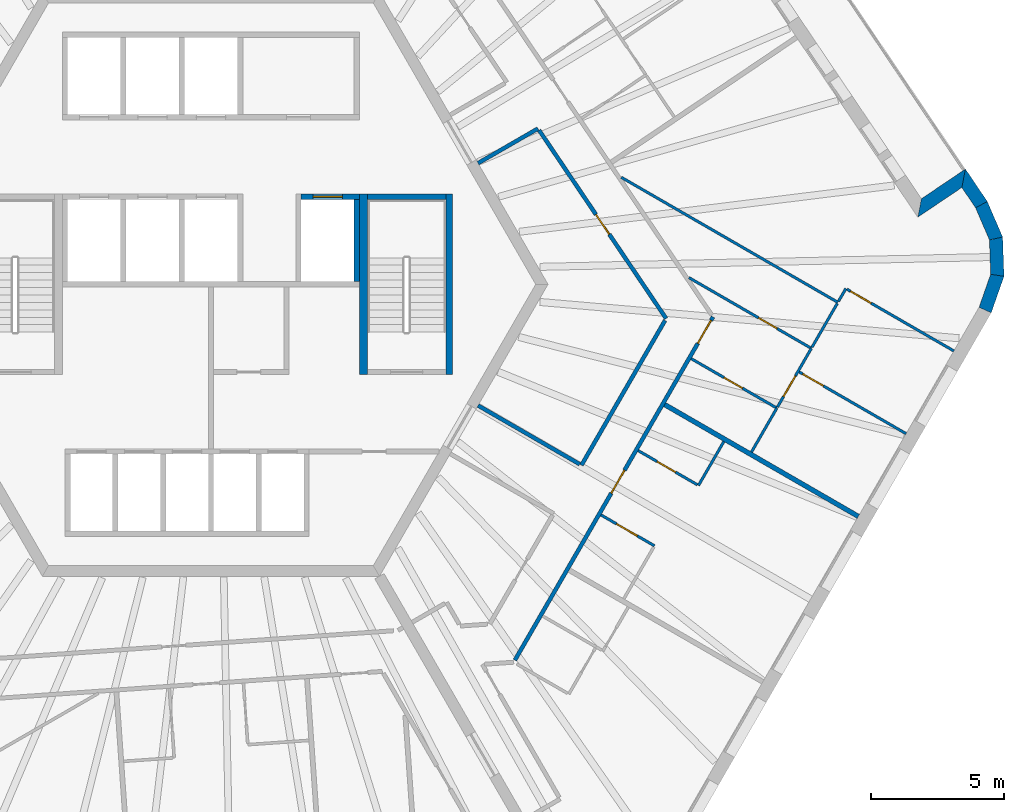
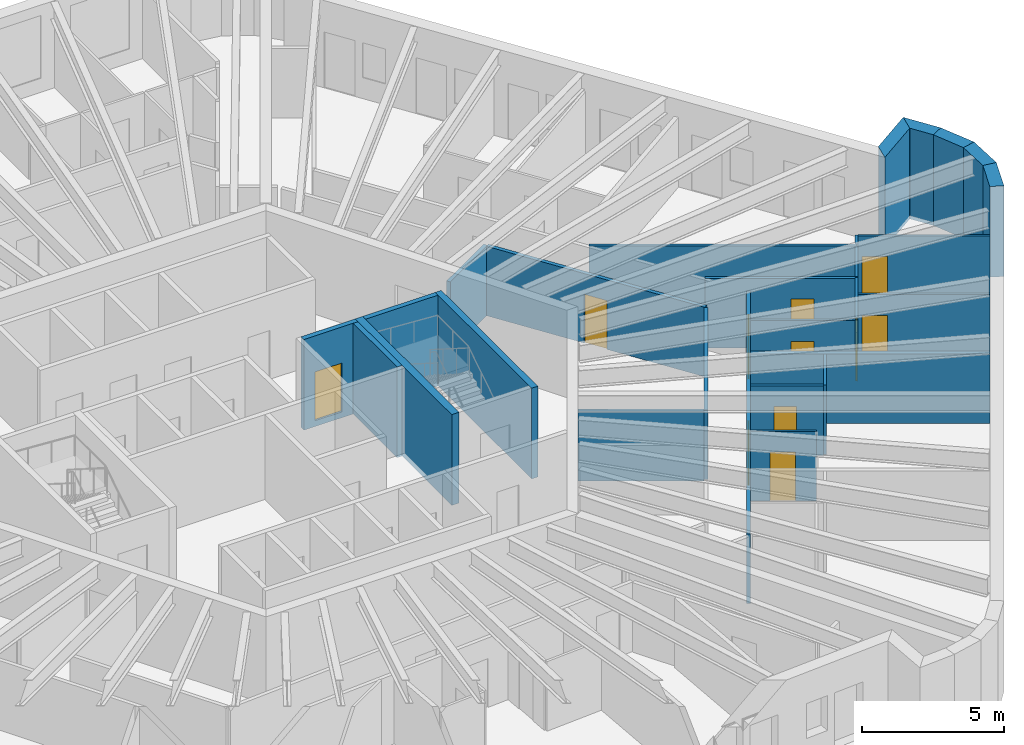
# One storey, part 7 of 12: 28 walls, 11 doors, 11 openings.
"""IFC4 building model written with IfcOpenShell, lengths in metres."""

from ifc_helpers import new_model, si_unit, direction, frame, frame_2d, origin, place, context, subcontext, project, spatial, polyline, rectangle, outline, extrude, material, layer, layer_set, type_object, element, fill, save


model = new_model("IFC4")

# Units and contexts
model_context = context("Model", 3, precision=1e-05, world=origin(), true_north=direction((0.0, 1.0)))
body_context = subcontext(model_context, "Body", "Model", "MODEL_VIEW")
ifc_project = project(units=[si_unit("LENGTHUNIT", "METRE"), si_unit("AREAUNIT", "SQUARE_METRE"), si_unit("VOLUMEUNIT", "CUBIC_METRE"), si_unit("PLANEANGLEUNIT", "RADIAN"), si_unit("MASSUNIT", "GRAM", prefix="KILO")], contexts=[model_context])

# Site, building, storey
site_placement = place(None, origin())
site = spatial("IfcSite", under=ifc_project, at=site_placement, CompositionType="ELEMENT")
building_placement = place(site_placement, origin())
building = spatial("IfcBuilding", under=site, at=building_placement, Name="Tarnside Tower", CompositionType="ELEMENT")
storey_placement = place(building_placement, frame((0.0, 0.0, 271.800048828125)))
storey = spatial("IfcBuildingStorey", under=building, at=storey_placement, Name="L65", CompositionType="ELEMENT", Elevation=271.800048828125)

# Wall
ifc_material_1 = material(Name="Gypsum board partition on steel studs", Category="steel")
ifc_layer_1 = layer(ifc_material_1, 0.10009765625)
ifc_layer_set_1 = layer_set([ifc_layer_1], Name="Bathroom wall 100")
wall_type_1 = type_object("IfcWallType", Name="Bathroom wall 100", PredefinedType="PARTITIONING", material=ifc_layer_set_1)
wall_1_placement = place(storey_placement, frame((19.328125, -5.9228515625, 0.0), z_axis=(0.0, 0.0, 1.0), x_axis=(-0.500043324278, -0.866000389056, 0.0)))
element("IfcWall", 1, at=wall_1_placement, inside=storey, type_object=wall_type_1, Name="Bathroom wall 21152", PredefinedType="PARTITIONING", context=body_context, shape_type="SweptSolid", body=[
    extrude(rectangle(XDim=1.909912109375, YDim=0.10009765625, at=frame_2d((0.955078125, 0.0))), origin(), (0.0, 0.0, 1.0), 2.98779296875),
])

# Wall, opening, door
wall_2_placement = place(storey_placement, frame((18.329833984375, -7.5517578125, 0.0), z_axis=(0.0, 0.0, 1.0), x_axis=(-0.866046643894, 0.499963209246, 0.0)))
wall_2 = element("IfcWall", 2, at=wall_2_placement, inside=storey, type_object=wall_type_1, Name="Bathroom wall 21153", PredefinedType="PARTITIONING", context=body_context, shape_type="SweptSolid", body=[
    extrude(rectangle(XDim=2.574951171875, YDim=0.10009765625, at=frame_2d((1.28759765625, 0.0))), origin(), (0.0, 0.0, 1.0), 2.98779296875),
])
opening_1_placement = place(wall_2_placement, frame((0.949951171875, 0.0, 0.0)))
opening_1 = element("IfcOpeningElement", 3, at=opening_1_placement, cuts=wall_2, Name="Opening D-B1", PredefinedType="OPENING", context=body_context, shape_type="SweptSolid", body=[
    extrude(rectangle(XDim=0.800048828125, YDim=2.10009765625, at=frame_2d((0.39990234375, 1.050048828125))), frame((0.0, 0.06005859375, 0.0), z_axis=(0.0, -1.0, 0.0), x_axis=(1.0, 0.0, 0.0)), (0.0, 0.0, 1.0), 0.1201171875),
])
ifc_material_2 = material(Name="Timber door leaf", Category="wood")
door_type_1 = type_object("IfcDoorType", Name="Bathroom door 800", OperationType="NOTDEFINED", PredefinedType="DOOR", material=ifc_material_2)
door_1_placement = place(opening_1_placement, origin())
door_1 = element("IfcDoor", 4, at=door_1_placement, inside=storey, type_object=door_type_1, Name="Bathroom door 21051", OperationType="SINGLE_SWING_LEFT", OverallHeight=2.10009765625, OverallWidth=0.800048828125, PredefinedType="DOOR", context=body_context, shape_type="SweptSolid", body=[
    extrude(rectangle(XDim=0.800048828125, YDim=2.10009765625, at=frame_2d((0.39990234375, 1.050048828125))), frame((0.0, 0.02490234375, 0.0), z_axis=(0.0, -1.0, 0.0), x_axis=(1.0, 0.0, 0.0)), (0.0, 0.0, 1.0), 0.050048828125),
])
fill(opening_1, door_1)

# Wall
wall_3_placement = place(storey_placement, frame((15.462890625, 4.03369140625, 0.0), z_axis=(0.0, 0.0, 1.0), x_axis=(0.866033324905, -0.499986279965, 0.0)))
element("IfcWall", 5, at=wall_3_placement, inside=storey, type_object=wall_type_1, Name="Bathroom wall 21161", PredefinedType="PARTITIONING", context=body_context, shape_type="SweptSolid", body=[
    extrude(rectangle(XDim=9.425537109375, YDim=0.10009765625, at=frame_2d((4.712890625, 0.0))), origin(), (0.0, 0.0, 1.0), 2.98779296875),
])

# Wall, opening, door
wall_4_placement = place(storey_placement, frame((18.099853515625, -2.80029296875, 0.0), z_axis=(0.0, 0.0, 1.0), x_axis=(0.866012039196, -0.500023147432, 0.0)))
wall_4 = element("IfcWall", 6, at=wall_4_placement, inside=storey, type_object=wall_type_1, Name="Bathroom wall 21164", PredefinedType="PARTITIONING", context=body_context, shape_type="SweptSolid", body=[
    extrude(rectangle(XDim=3.724853515625, YDim=0.10009765625, at=frame_2d((1.8623046875, 0.0))), origin(), (0.0, 0.0, 1.0), 2.98779296875),
])
opening_2_placement = place(wall_4_placement, frame((1.425048828125, 0.0, 0.0)))
opening_2 = element("IfcOpeningElement", 7, at=opening_2_placement, cuts=wall_4, Name="Opening D-B1", PredefinedType="OPENING", context=body_context, shape_type="SweptSolid", body=[
    extrude(rectangle(XDim=0.800048828125, YDim=2.10009765625, at=frame_2d((0.39990234375, 1.050048828125))), frame((0.0, 0.06005859375, 0.0), z_axis=(0.0, -1.0, 0.0), x_axis=(1.0, 0.0, 0.0)), (0.0, 0.0, 1.0), 0.1201171875),
])
door_2_placement = place(opening_2_placement, origin())
door_2 = element("IfcDoor", 8, at=door_2_placement, inside=storey, type_object=door_type_1, Name="Bathroom door 21054", OperationType="SINGLE_SWING_RIGHT", OverallHeight=2.10009765625, OverallWidth=0.800048828125, PredefinedType="DOOR", context=body_context, shape_type="SweptSolid", body=[
    extrude(rectangle(XDim=0.800048828125, YDim=2.10009765625, at=frame_2d((0.39990234375, 1.050048828125))), frame((0.0, 0.02490234375, 0.0), z_axis=(0.0, -1.0, 0.0), x_axis=(1.0, 0.0, 0.0)), (0.0, 0.0, 1.0), 0.050048828125),
])
fill(opening_2, door_2)

wall_5_placement = place(storey_placement, frame((22.625732421875, -2.4111328125, 0.0), z_axis=(0.0, 0.0, 1.0), x_axis=(-0.866016851835, 0.500014812119, 0.0)))
wall_5 = element("IfcWall", 9, at=wall_5_placement, inside=storey, type_object=wall_type_1, Name="Bathroom wall 21167", PredefinedType="PARTITIONING", context=body_context, shape_type="SweptSolid", body=[
    extrude(rectangle(XDim=5.324951171875, YDim=0.10009765625, at=frame_2d((2.66259765625, 0.0))), origin(), (0.0, 0.0, 1.0), 2.98779296875),
])
opening_3_placement = place(wall_5_placement, frame((1.5, 0.0, 0.0)))
opening_3 = element("IfcOpeningElement", 10, at=opening_3_placement, cuts=wall_5, Name="Opening D-B1", PredefinedType="OPENING", context=body_context, shape_type="SweptSolid", body=[
    extrude(rectangle(XDim=0.800048828125, YDim=2.10009765625, at=frame_2d((0.39990234375, 1.050048828125))), frame((0.0, 0.06005859375, 0.0), z_axis=(0.0, -1.0, 0.0), x_axis=(1.0, 0.0, 0.0)), (0.0, 0.0, 1.0), 0.1201171875),
])
door_3_placement = place(opening_3_placement, origin())
door_3 = element("IfcDoor", 11, at=door_3_placement, inside=storey, type_object=door_type_1, Name="Bathroom door 21062", OperationType="SINGLE_SWING_RIGHT", OverallHeight=2.10009765625, OverallWidth=0.800048828125, PredefinedType="DOOR", context=body_context, shape_type="SweptSolid", body=[
    extrude(rectangle(XDim=0.800048828125, YDim=2.10009765625, at=frame_2d((0.39990234375, 1.050048828125))), frame((0.0, 0.02490234375, 0.0), z_axis=(0.0, -1.0, 0.0), x_axis=(1.0, 0.0, 0.0)), (0.0, 0.0, 1.0), 0.050048828125),
])
fill(opening_3, door_3)

# Walls
wall_6_placement = place(storey_placement, frame((20.370849609375, -6.31689453125, 0.0), z_axis=(0.0, 0.0, 1.0), x_axis=(0.49994353734, 0.866058000062, 0.0)))
element("IfcWall", 12, at=wall_6_placement, inside=storey, type_object=wall_type_1, Name="Bathroom wall 21168", PredefinedType="PARTITIONING", context=body_context, shape_type="SweptSolid", body=[
    extrude(rectangle(XDim=1.911865234375, YDim=0.10009765625, at=frame_2d((0.9560546875, 0.0))), origin(), (0.0, 0.0, 1.0), 2.98779296875),
])
wall_7_placement = place(storey_placement, frame((23.600830078125, -0.722412109375, 0.0), z_axis=(0.0, 0.0, 1.0), x_axis=(-0.500119165741, -0.865956592479, 0.0)))
element("IfcWall", 13, at=wall_7_placement, inside=storey, type_object=wall_type_1, Name="Bathroom wall 21170", PredefinedType="PARTITIONING", context=body_context, shape_type="SweptSolid", body=[
    extrude(rectangle(XDim=1.89990234375, YDim=0.10009765625, at=frame_2d((0.949951171875, 0.0))), origin(), (0.0, 0.0, 1.0), 2.98779296875),
])

# Wall, openings, doors
ifc_layer_2 = layer(ifc_material_1, 0.14990234375)
ifc_layer_set_2 = layer_set([ifc_layer_2], Name="Corridor wall 150 EI 60")
wall_type_2 = type_object("IfcWallType", Name="Corridor wall 150 EI 60", PredefinedType="PARTITIONING", material=ifc_layer_set_2)
wall_8_placement = place(storey_placement, frame((11.454345703125, -14.160400390625, 0.0), z_axis=(0.0, 0.0, 1.0), x_axis=(0.500000296604, 0.86602523254, 0.0)))
wall_8 = element("IfcWall", 14, at=wall_8_placement, inside=storey, type_object=wall_type_2, Name="Corridor wall 21059", PredefinedType="PARTITIONING", context=body_context, shape_type="SweptSolid", body=[
    extrude(rectangle(XDim=14.93359375, YDim=0.14990234375, at=frame_2d((7.466796875, 0.0))), origin(), (0.0, 0.0, 1.0), 2.98779296875),
])
opening_4_placement = place(wall_8_placement, frame((7.260986328125, 0.0, 0.0)))
opening_4 = element("IfcOpeningElement", 15, at=opening_4_placement, cuts=wall_8, Name="Opening D-E1", PredefinedType="OPENING", context=body_context, shape_type="SweptSolid", body=[
    extrude(rectangle(XDim=1.0, YDim=2.10009765625, at=frame_2d((0.5, 1.050048828125))), frame((0.0, 0.0849609375, 0.0), z_axis=(0.0, -1.0, 0.0), x_axis=(1.0, 0.0, 0.0)), (0.0, 0.0, 1.0), 0.169921875),
])
opening_5_placement = place(wall_8_placement, frame((13.78369140625, 0.0, 0.0)))
opening_5 = element("IfcOpeningElement", 16, at=opening_5_placement, cuts=wall_8, Name="Opening D-E1", PredefinedType="OPENING", context=body_context, shape_type="SweptSolid", body=[
    extrude(rectangle(XDim=1.0, YDim=2.10009765625, at=frame_2d((0.5, 1.050048828125))), frame((0.0, 0.0849609375, 0.0), z_axis=(0.0, -1.0, 0.0), x_axis=(1.0, 0.0, 0.0)), (0.0, 0.0, 1.0), 0.169921875),
])
door_type_2 = type_object("IfcDoorType", Name="Unit entrance door 1000 FD30S", OperationType="NOTDEFINED", PredefinedType="DOOR", material=ifc_material_2)
door_4_placement = place(opening_4_placement, origin())
door_4 = element("IfcDoor", 17, at=door_4_placement, inside=storey, type_object=door_type_2, Name="Unit door 21050", OperationType="SINGLE_SWING_RIGHT", OverallHeight=2.10009765625, OverallWidth=1.0, PredefinedType="DOOR", context=body_context, shape_type="SweptSolid", body=[
    extrude(rectangle(XDim=1.0, YDim=2.10009765625, at=frame_2d((0.5, 1.050048828125))), frame((0.0, 0.02490234375, 0.0), z_axis=(0.0, -1.0, 0.0), x_axis=(1.0, 0.0, 0.0)), (0.0, 0.0, 1.0), 0.050048828125),
])
fill(opening_4, door_4)
door_5_placement = place(opening_5_placement, origin())
door_5 = element("IfcDoor", 18, at=door_5_placement, inside=storey, type_object=door_type_2, Name="Unit door 21053", OperationType="SINGLE_SWING_LEFT", OverallHeight=2.10009765625, OverallWidth=1.0, PredefinedType="DOOR", context=body_context, shape_type="SweptSolid", body=[
    extrude(rectangle(XDim=1.0, YDim=2.10009765625, at=frame_2d((0.5, 1.050048828125))), frame((0.0, 0.02490234375, 0.0), z_axis=(0.0, -1.0, 0.0), x_axis=(1.0, 0.0, 0.0)), (0.0, 0.0, 1.0), 0.050048828125),
])
fill(opening_5, door_5)

# Wall
wall_9_placement = place(storey_placement, frame((10.065673828125, 4.565673828125, 0.0), z_axis=(0.0, 0.0, 1.0), x_axis=(0.866034402474, 0.499984413489, 0.0)))
element("IfcWall", 19, at=wall_9_placement, inside=storey, type_object=wall_type_2, Name="Corridor wall 21074", PredefinedType="PARTITIONING", context=body_context, shape_type="SweptSolid", body=[
    extrude(rectangle(XDim=2.6083984375, YDim=0.14990234375, at=frame_2d((1.30419921875, 0.0))), origin(), (0.0, 0.0, 1.0), 2.98779296875),
])

# Wall, opening, door
wall_10_placement = place(storey_placement, frame((12.36669921875, 5.8076171875, 0.0), z_axis=(0.0, 0.0, 1.0), x_axis=(0.559187256666, -0.829041381345, 0.0)))
wall_10 = element("IfcWall", 20, at=wall_10_placement, inside=storey, type_object=wall_type_2, Name="Corridor wall 21075", PredefinedType="PARTITIONING", context=body_context, shape_type="SweptSolid", body=[
    extrude(rectangle(XDim=8.560302734375, YDim=0.14990234375, at=frame_2d((4.2802734375, 0.0))), origin(), (0.0, 0.0, 1.0), 2.98779296875),
])
opening_6_placement = place(wall_10_placement, frame((3.830078125, 0.0, 0.0)))
opening_6 = element("IfcOpeningElement", 21, at=opening_6_placement, cuts=wall_10, Name="Opening D-S1", PredefinedType="OPENING", context=body_context, shape_type="SweptSolid", body=[
    extrude(rectangle(XDim=0.89990234375, YDim=2.10009765625, at=frame_2d((0.449951171875, 1.050048828125))), frame((0.0, 0.0849609375, 0.0), z_axis=(0.0, -1.0, 0.0), x_axis=(1.0, 0.0, 0.0)), (0.0, 0.0, 1.0), 0.169921875),
])
door_type_3 = type_object("IfcDoorType", Name="Service room door 900 FD30S", OperationType="NOTDEFINED", PredefinedType="DOOR", material=ifc_material_2)
door_6_placement = place(opening_6_placement, origin())
door_6 = element("IfcDoor", 22, at=door_6_placement, inside=storey, type_object=door_type_3, Name="Service door 21073", OperationType="SINGLE_SWING_RIGHT", OverallHeight=2.10009765625, OverallWidth=0.89990234375, PredefinedType="DOOR", context=body_context, shape_type="SweptSolid", body=[
    extrude(rectangle(XDim=0.89990234375, YDim=2.10009765625, at=frame_2d((0.449951171875, 1.050048828125))), frame((0.0, 0.02490234375, 0.0), z_axis=(0.0, -1.0, 0.0), x_axis=(1.0, 0.0, 0.0)), (0.0, 0.0, 1.0), 0.050048828125),
])
fill(opening_6, door_6)

# Walls
wall_11_placement = place(storey_placement, frame((17.11181640625, -1.361572265625, 0.0), z_axis=(0.0, 0.0, 1.0), x_axis=(-0.49999985423, -0.866025487945, 0.0)))
element("IfcWall", 23, at=wall_11_placement, inside=storey, type_object=wall_type_2, Name="Corridor wall 21076", PredefinedType="PARTITIONING", context=body_context, shape_type="SweptSolid", body=[
    extrude(rectangle(XDim=6.2978515625, YDim=0.14990234375, at=frame_2d((3.14892578125, 0.0))), origin(), (0.0, 0.0, 1.0), 2.98779296875),
])
wall_12_placement = place(storey_placement, frame((13.89794921875, -6.778076171875, 0.0), z_axis=(0.0, 0.0, 1.0), x_axis=(-0.866041342403, 0.499972392486, 0.0)))
element("IfcWall", 24, at=wall_12_placement, inside=storey, type_object=wall_type_2, Name="Corridor wall 21077", PredefinedType="PARTITIONING", context=body_context, shape_type="SweptSolid", body=[
    extrude(rectangle(XDim=4.425048828125, YDim=0.14990234375, at=frame_2d((2.21240234375, 0.0))), origin(), (0.0, 0.0, 1.0), 2.98779296875),
])
ifc_layer_3 = layer(ifc_material_1, 0.179931640625)
ifc_layer_set_3 = layer_set([ifc_layer_3], Name="Demising wall 180 EI 60")
wall_type_3 = type_object("IfcWallType", Name="Demising wall 180 EI 60", PredefinedType="PARTITIONING", material=ifc_layer_set_3)
wall_13_placement = place(storey_placement, frame((24.39599609375, -8.744873046875, 0.0), z_axis=(0.0, 0.0, 1.0), x_axis=(-0.866014270972, 0.500019282102, 0.0)))
element("IfcWall", 25, at=wall_13_placement, inside=storey, type_object=wall_type_3, Name="Demising wall 21156", PredefinedType="PARTITIONING", context=body_context, shape_type="SweptSolid", body=[
    extrude(rectangle(XDim=8.425048828125, YDim=0.179931640625, at=frame_2d((4.21240234375, 0.0))), origin(), (0.0, 0.0, 1.0), 2.98779296875),
])

# Wall, opening, door
ifc_material_3 = material(Name="Concrete C40/50", Category="concrete")
ifc_layer_4 = layer(ifc_material_3, 0.199951171875)
ifc_layer_set_4 = layer_set([ifc_layer_4], Name="Lift shaft wall 200 C40/50")
wall_type_4 = type_object("IfcWallType", Name="Lift shaft wall 200 C40/50", PredefinedType="SHEAR", material=ifc_layer_set_4)
wall_14_placement = place(storey_placement, frame((3.39990234375, 3.300048828125, -0.25), z_axis=(0.0, 0.0, 1.0), x_axis=(1.0, 0.0, 0.0)))
wall_14 = element("IfcWall", 26, at=wall_14_placement, inside=storey, type_object=wall_type_4, Name="L65 lift shaft front wall R2 2", PredefinedType="SHEAR", context=body_context, shape_type="SweptSolid", body=[
    extrude(rectangle(XDim=2.2001953125, YDim=0.199951171875, at=frame_2d((1.10009765625, 0.0))), origin(), (0.0, 0.0, 1.0), 3.89990234375),
])
opening_7_placement = place(wall_14_placement, frame((0.449951171875, 0.0, 0.25)))
opening_7 = element("IfcOpeningElement", 27, at=opening_7_placement, cuts=wall_14, Name="Opening LD", PredefinedType="OPENING", context=body_context, shape_type="SweptSolid", body=[
    extrude(rectangle(XDim=1.10009765625, YDim=2.10009765625, at=frame_2d((0.550048828125, 1.050048828125))), frame((0.0, 0.10986328125, 0.0), z_axis=(0.0, -1.0, 0.0), x_axis=(1.0, 0.0, 0.0)), (0.0, 0.0, 1.0), 0.219970703125),
])
ifc_material_4 = material(Name="Stainless steel", Category="steel")
door_type_4 = type_object("IfcDoorType", Name="Lift landing door 1100x2100", OperationType="NOTDEFINED", PredefinedType="DOOR", material=ifc_material_4)
door_7_placement = place(opening_7_placement, origin())
door_7 = element("IfcDoor", 28, at=door_7_placement, inside=storey, type_object=door_type_4, Name="Express sky-lobby shuttle 2 landing door L65", OperationType="SLIDING_TO_LEFT", OverallHeight=2.10009765625, OverallWidth=1.10009765625, PredefinedType="DOOR", context=body_context, shape_type="SweptSolid", body=[
    extrude(rectangle(XDim=1.10009765625, YDim=2.10009765625, at=frame_2d((0.550048828125, 1.050048828125))), frame((0.0, 0.02490234375, 0.0), z_axis=(0.0, -1.0, 0.0), x_axis=(1.0, 0.0, 0.0)), (0.0, 0.0, 1.0), 0.050048828125),
])
fill(opening_7, door_7)

# Walls
wall_15_placement = place(storey_placement, frame((5.5, 0.10009765625, -0.25), z_axis=(0.0, 0.0, 1.0), x_axis=(0.0, 1.0, 0.0)))
element("IfcWall", 29, at=wall_15_placement, inside=storey, type_object=wall_type_4, Name="L65 lift shaft partition R26", PredefinedType="SHEAR", context=body_context, shape_type="SweptSolid", body=[
    extrude(rectangle(XDim=3.099853515625, YDim=0.199951171875, at=frame_2d((1.5498046875, 0.0))), origin(), (0.0, 0.0, 1.0), 3.89990234375),
])
wall_16_placement = place(storey_placement, frame((5.89990234375, 3.300048828125, -0.25), z_axis=(0.0, 0.0, 1.0), x_axis=(1.0, 0.0, 0.0)))
element("IfcWall", 30, at=wall_16_placement, inside=storey, type_object=wall_type_4, Name="L65 stair 1 enclosure cap wall n", PredefinedType="SHEAR", context=body_context, shape_type="SweptSolid", body=[
    extrude(rectangle(XDim=2.9501953125, YDim=0.199951171875, at=frame_2d((1.47509765625, 0.0))), origin(), (0.0, 0.0, 1.0), 3.89990234375),
])
ifc_material_5 = material(Name="Dark zinc cladding")
ifc_layer_5 = layer(ifc_material_5, 0.10205078125)
ifc_material_6 = material(Name="Concrete C60/75 precast", Category="concrete")
ifc_layer_6 = layer(ifc_material_6, 0.298095703125)
ifc_material_7 = material(Name="Mineral wool insulation")
ifc_layer_7 = layer(ifc_material_7, 0.10009765625)
ifc_layer_set_5 = layer_set([ifc_layer_5, ifc_layer_6, ifc_layer_7], Name="Loggia wall 500 zinc faced")
wall_type_5 = type_object("IfcWallType", Name="Loggia wall 500 zinc faced", PredefinedType="SOLIDWALL", material=ifc_layer_set_5)
wall_17_placement = place(storey_placement, frame((29.034912109375, 3.00244140625, -0.150146484375), z_axis=(0.0, 0.0, 1.0), x_axis=(-0.559200218553, 0.829032638423, 0.0)))
element("IfcWall", 31, at=wall_17_placement, inside=storey, type_object=wall_type_5, Name="Tube wall L65 F6 stub 28", PredefinedType="SOLIDWALL", context=body_context, shape_type="SweptSolid", body=[
    extrude(outline(polyline([(-0.0234375, -0.25), (1.44970703125, -0.25), (0.94970703125, 0.25), (0.0234375, 0.25), (-0.0234375, -0.25)])), origin(), (0.0, 0.0, 1.0), 3.900146484375),
])
wall_18_placement = place(storey_placement, frame((28.364013671875, 3.9970703125, -0.150146484375), z_axis=(0.0, 0.0, 1.0), x_axis=(-0.829108975345, -0.5590870299, 0.0)))
element("IfcWall", 32, at=wall_18_placement, inside=storey, type_object=wall_type_5, Name="Tube wall L65 F6 return 29", PredefinedType="SOLIDWALL", context=body_context, shape_type="SweptSolid", body=[
    extrude(outline(polyline([(-0.25, -0.25), (1.75, -0.25), (2.25, 0.25), (0.25, 0.25), (-0.25, -0.25)])), origin(), (0.0, 0.0, 1.0), 3.900146484375),
])

# Wall, opening, door
ifc_layer_8 = layer(ifc_material_1, 0.10009765625)
ifc_layer_set_6 = layer_set([ifc_layer_8], Name="Partition 100")
wall_type_6 = type_object("IfcWallType", Name="Partition 100", PredefinedType="PARTITIONING", material=ifc_layer_set_6)
wall_19_placement = place(storey_placement, frame((14.69970703125, -8.689208984375, 0.0), z_axis=(0.0, 0.0, 1.0), x_axis=(0.866024722723, -0.500001179632, 0.0)))
wall_19 = element("IfcWall", 33, at=wall_19_placement, inside=storey, type_object=wall_type_6, Name="Partition wall 21154", PredefinedType="PARTITIONING", context=body_context, shape_type="SweptSolid", body=[
    extrude(rectangle(XDim=2.3251953125, YDim=0.10009765625, at=frame_2d((1.16259765625, 0.0))), origin(), (0.0, 0.0, 1.0), 2.98779296875),
])
opening_8_placement = place(wall_19_placement, frame((0.675048828125, 0.0, 0.0)))
opening_8 = element("IfcOpeningElement", 34, at=opening_8_placement, cuts=wall_19, Name="Opening D-I1", PredefinedType="OPENING", context=body_context, shape_type="SweptSolid", body=[
    extrude(rectangle(XDim=0.89990234375, YDim=2.10009765625, at=frame_2d((0.449951171875, 1.050048828125))), frame((0.0, 0.06005859375, 0.0), z_axis=(0.0, -1.0, 0.0), x_axis=(1.0, 0.0, 0.0)), (0.0, 0.0, 1.0), 0.1201171875),
])
door_type_5 = type_object("IfcDoorType", Name="Internal door 900", OperationType="NOTDEFINED", PredefinedType="DOOR", material=ifc_material_2)
door_8_placement = place(opening_8_placement, origin())
door_8 = element("IfcDoor", 35, at=door_8_placement, inside=storey, type_object=door_type_5, Name="Internal door 21052", OperationType="SINGLE_SWING_RIGHT", OverallHeight=2.10009765625, OverallWidth=0.89990234375, PredefinedType="DOOR", context=body_context, shape_type="SweptSolid", body=[
    extrude(rectangle(XDim=0.89990234375, YDim=2.10009765625, at=frame_2d((0.449951171875, 1.050048828125))), frame((0.0, 0.02490234375, 0.0), z_axis=(0.0, -1.0, 0.0), x_axis=(1.0, 0.0, 0.0)), (0.0, 0.0, 1.0), 0.050048828125),
])
fill(opening_8, door_8)

# Wall
wall_20_placement = place(storey_placement, frame((23.649658203125, -0.637451171875, 0.0), z_axis=(0.0, 0.0, 1.0), x_axis=(0.500181810019, 0.865920410272, 0.0)))
element("IfcWall", 36, at=wall_20_placement, inside=storey, type_object=wall_type_6, Name="Partition wall 21159", PredefinedType="PARTITIONING", context=body_context, shape_type="SweptSolid", body=[
    extrude(rectangle(XDim=0.552001953125, YDim=0.10009765625, at=frame_2d((0.27587890625, 0.0))), origin(), (0.0, 0.0, 1.0), 2.98779296875),
])

# Wall, opening, door
wall_21_placement = place(storey_placement, frame((23.968994140625, -0.184326171875, 0.0), z_axis=(0.0, 0.0, 1.0), x_axis=(0.866011596997, -0.500023913295, 0.0)))
wall_21 = element("IfcWall", 37, at=wall_21_placement, inside=storey, type_object=wall_type_6, Name="Partition wall 21160", PredefinedType="PARTITIONING", context=body_context, shape_type="SweptSolid", body=[
    extrude(rectangle(XDim=4.650146484375, YDim=0.10009765625, at=frame_2d((2.3251953125, 0.0))), origin(), (0.0, 0.0, 1.0), 2.98779296875),
])
opening_9_placement = place(wall_21_placement, frame((0.14990234375, 0.0, 0.0)))
opening_9 = element("IfcOpeningElement", 38, at=opening_9_placement, cuts=wall_21, Name="Opening D-I1", PredefinedType="OPENING", context=body_context, shape_type="SweptSolid", body=[
    extrude(rectangle(XDim=0.89990234375, YDim=2.10009765625, at=frame_2d((0.449951171875, 1.050048828125))), frame((0.0, 0.06005859375, 0.0), z_axis=(0.0, -1.0, 0.0), x_axis=(1.0, 0.0, 0.0)), (0.0, 0.0, 1.0), 0.1201171875),
])
door_9_placement = place(opening_9_placement, origin())
door_9 = element("IfcDoor", 39, at=door_9_placement, inside=storey, type_object=door_type_5, Name="Internal door 21061", OperationType="SINGLE_SWING_RIGHT", OverallHeight=2.10009765625, OverallWidth=0.89990234375, PredefinedType="DOOR", context=body_context, shape_type="SweptSolid", body=[
    extrude(rectangle(XDim=0.89990234375, YDim=2.10009765625, at=frame_2d((0.449951171875, 1.050048828125))), frame((0.0, 0.02490234375, 0.0), z_axis=(0.0, -1.0, 0.0), x_axis=(1.0, 0.0, 0.0)), (0.0, 0.0, 1.0), 0.050048828125),
])
fill(opening_9, door_9)

wall_22_placement = place(storey_placement, frame((21.349609375, -4.62109375, 0.0), z_axis=(0.0, 0.0, 1.0), x_axis=(0.500056202316, 0.865992952931, 0.0)))
wall_22 = element("IfcWall", 40, at=wall_22_placement, inside=storey, type_object=wall_type_6, Name="Partition wall 21165", PredefinedType="PARTITIONING", context=body_context, shape_type="SweptSolid", body=[
    extrude(rectangle(XDim=2.553955078125, YDim=0.10009765625, at=frame_2d((1.27685546875, 0.0))), origin(), (0.0, 0.0, 1.0), 2.98779296875),
])
opening_10_placement = place(wall_22_placement, frame((0.451904296875, 0.0, 0.0)))
opening_10 = element("IfcOpeningElement", 41, at=opening_10_placement, cuts=wall_22, Name="Opening D-I1", PredefinedType="OPENING", context=body_context, shape_type="SweptSolid", body=[
    extrude(rectangle(XDim=0.89990234375, YDim=2.10009765625, at=frame_2d((0.449951171875, 1.050048828125))), frame((0.0, 0.06005859375, 0.0), z_axis=(0.0, -1.0, 0.0), x_axis=(1.0, 0.0, 0.0)), (0.0, 0.0, 1.0), 0.1201171875),
])
door_10_placement = place(opening_10_placement, origin())
door_10 = element("IfcDoor", 42, at=door_10_placement, inside=storey, type_object=door_type_5, Name="Internal door 21056", OperationType="SINGLE_SWING_LEFT", OverallHeight=2.10009765625, OverallWidth=0.89990234375, PredefinedType="DOOR", context=body_context, shape_type="SweptSolid", body=[
    extrude(rectangle(XDim=0.89990234375, YDim=2.10009765625, at=frame_2d((0.449951171875, 1.050048828125))), frame((0.0, 0.02490234375, 0.0), z_axis=(0.0, -1.0, 0.0), x_axis=(1.0, 0.0, 0.0)), (0.0, 0.0, 1.0), 0.050048828125),
])
fill(opening_10, door_10)

wall_23_placement = place(storey_placement, frame((26.196044921875, -5.627197265625, 0.0), z_axis=(0.0, 0.0, 1.0), x_axis=(-0.866011596997, 0.500023913295, 0.0)))
wall_23 = element("IfcWall", 43, at=wall_23_placement, inside=storey, type_object=wall_type_6, Name="Partition wall 21169", PredefinedType="PARTITIONING", context=body_context, shape_type="SweptSolid", body=[
    extrude(rectangle(XDim=4.650146484375, YDim=0.10009765625, at=frame_2d((2.3251953125, 0.0))), origin(), (0.0, 0.0, 1.0), 2.98779296875),
])
opening_11_placement = place(wall_23_placement, frame((3.60009765625, 0.0, 0.0)))
opening_11 = element("IfcOpeningElement", 44, at=opening_11_placement, cuts=wall_23, Name="Opening D-I1", PredefinedType="OPENING", context=body_context, shape_type="SweptSolid", body=[
    extrude(rectangle(XDim=0.89990234375, YDim=2.10009765625, at=frame_2d((0.449951171875, 1.050048828125))), frame((0.0, 0.06005859375, 0.0), z_axis=(0.0, -1.0, 0.0), x_axis=(1.0, 0.0, 0.0)), (0.0, 0.0, 1.0), 0.1201171875),
])
door_11_placement = place(opening_11_placement, origin())
door_11 = element("IfcDoor", 45, at=door_11_placement, inside=storey, type_object=door_type_5, Name="Internal door 21059", OperationType="SINGLE_SWING_RIGHT", OverallHeight=2.10009765625, OverallWidth=0.89990234375, PredefinedType="DOOR", context=body_context, shape_type="SweptSolid", body=[
    extrude(rectangle(XDim=0.89990234375, YDim=2.10009765625, at=frame_2d((0.449951171875, 1.050048828125))), frame((0.0, 0.02490234375, 0.0), z_axis=(0.0, -1.0, 0.0), x_axis=(1.0, 0.0, 0.0)), (0.0, 0.0, 1.0), 0.050048828125),
])
fill(opening_11, door_11)

# Walls
ifc_layer_9 = layer(ifc_material_3, 0.25)
ifc_layer_set_7 = layer_set([ifc_layer_9], Name="Stair enclosure wall 250 C40/50")
wall_type_7 = type_object("IfcWallType", Name="Stair enclosure wall 250 C40/50", PredefinedType="SHEAR", material=ifc_layer_set_7)
wall_24_placement = place(storey_placement, frame((8.97509765625, -3.39990234375, -0.25), z_axis=(0.0, 0.0, 1.0), x_axis=(0.0, 1.0, 0.0)))
element("IfcWall", 46, at=wall_24_placement, inside=storey, type_object=wall_type_7, Name="L65 stair 1 enclosure wall outer", PredefinedType="SHEAR", context=body_context, shape_type="SweptSolid", body=[
    extrude(rectangle(XDim=6.7998046875, YDim=0.25, at=frame_2d((3.39990234375, 0.0))), origin(), (0.0, 0.0, 1.0), 3.89990234375),
])
ifc_layer_10 = layer(ifc_material_3, 0.300048828125)
ifc_layer_set_8 = layer_set([ifc_layer_10], Name="Stair enclosure wall 300 C40/50")
wall_type_8 = type_object("IfcWallType", Name="Stair enclosure wall 300 C40/50", PredefinedType="SHEAR", material=ifc_layer_set_8)
wall_25_placement = place(storey_placement, frame((5.75, -3.39990234375, -0.25), z_axis=(0.0, 0.0, 1.0), x_axis=(0.0, 1.0, 0.0)))
element("IfcWall", 47, at=wall_25_placement, inside=storey, type_object=wall_type_8, Name="L65 stair 1 enclosure wall inner", PredefinedType="SHEAR", context=body_context, shape_type="SweptSolid", body=[
    extrude(rectangle(XDim=6.7998046875, YDim=0.300048828125, at=frame_2d((3.39990234375, 0.0))), origin(), (0.0, 0.0, 1.0), 3.89990234375),
])
ifc_material_8 = material(Name="Facing brick", Category="masonry")
ifc_layer_11 = layer(ifc_material_8, 0.10205078125)
ifc_layer_12 = layer(ifc_material_6, 0.298095703125)
ifc_layer_13 = layer(ifc_material_7, 0.10009765625)
ifc_layer_set_9 = layer_set([ifc_layer_11, ifc_layer_12, ifc_layer_13], Name="Tube wall 500 brick faced")
wall_type_9 = type_object("IfcWallType", Name="Tube wall 500 brick faced", PredefinedType="SOLIDWALL", material=ifc_layer_set_9)
wall_26_placement = place(storey_placement, frame((29.173828125, -0.9697265625, -0.150146484375), z_axis=(0.0, 0.0, 1.0), x_axis=(0.330961348063, 0.943644311215, 0.0)))
element("IfcWall", 48, at=wall_26_placement, inside=storey, type_object=wall_type_9, Name="Tube wall L65 F5 chord 25", PredefinedType="SOLIDWALL", context=body_context, shape_type="SweptSolid", body=[
    extrude(outline(polyline([(-0.0234375, -0.25), (1.435302734375, -0.25), (1.341064453125, 0.25), (0.0234375, 0.25), (-0.0234375, -0.25)])), origin(), (0.0, 0.0, 1.0), 3.900146484375),
])
wall_27_placement = place(storey_placement, frame((29.63330078125, 0.34033203125, -0.150146484375), z_axis=(0.0, 0.0, 1.0), x_axis=(-0.034825746769, 0.999393399699, 0.0)))
element("IfcWall", 49, at=wall_27_placement, inside=storey, type_object=wall_type_9, Name="Tube wall L65 F5 chord 26", PredefinedType="SOLIDWALL", context=body_context, shape_type="SweptSolid", body=[
    extrude(outline(polyline([(-0.047119140625, -0.25), (1.43505859375, -0.25), (1.3408203125, 0.25), (0.047119140625, 0.25), (-0.047119140625, -0.25)])), origin(), (0.0, 0.0, 1.0), 3.900146484375),
])
wall_28_placement = place(storey_placement, frame((29.5849609375, 1.7275390625, -0.150146484375), z_axis=(0.0, 0.0, 1.0), x_axis=(-0.396146339195, 0.918187387162, 0.0)))
element("IfcWall", 50, at=wall_28_placement, inside=storey, type_object=wall_type_9, Name="Tube wall L65 F5 chord 27", PredefinedType="SOLIDWALL", context=body_context, shape_type="SweptSolid", body=[
    extrude(outline(polyline([(-0.047119140625, -0.25), (1.411865234375, -0.25), (1.364990234375, 0.25), (0.047119140625, 0.25), (-0.047119140625, -0.25)])), origin(), (0.0, 0.0, 1.0), 3.900146484375),
])

save(model, "model.ifc")
